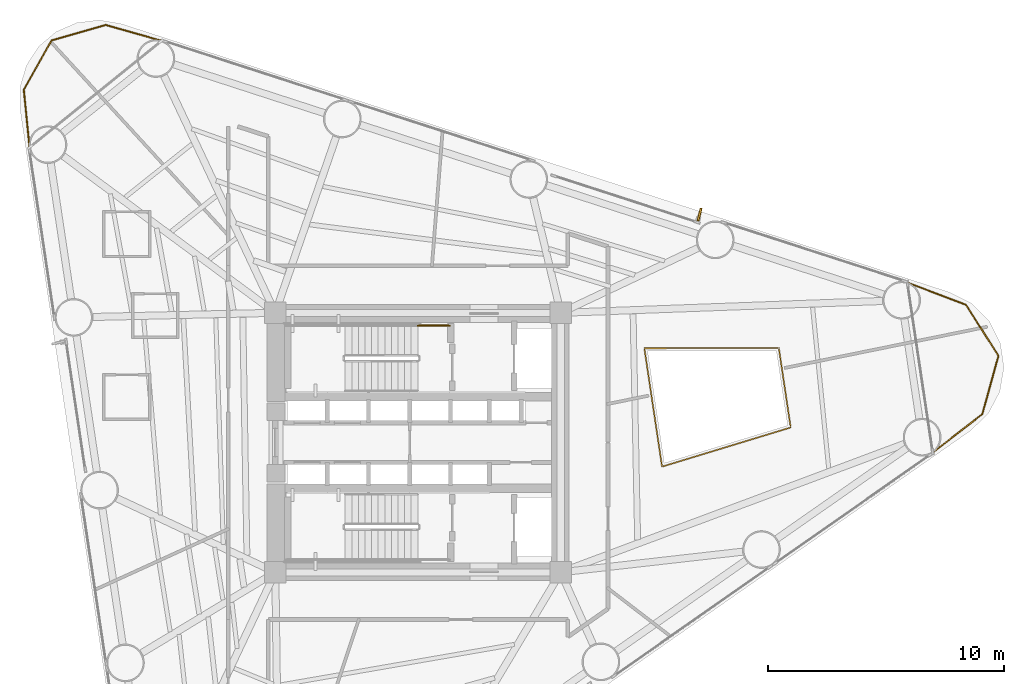
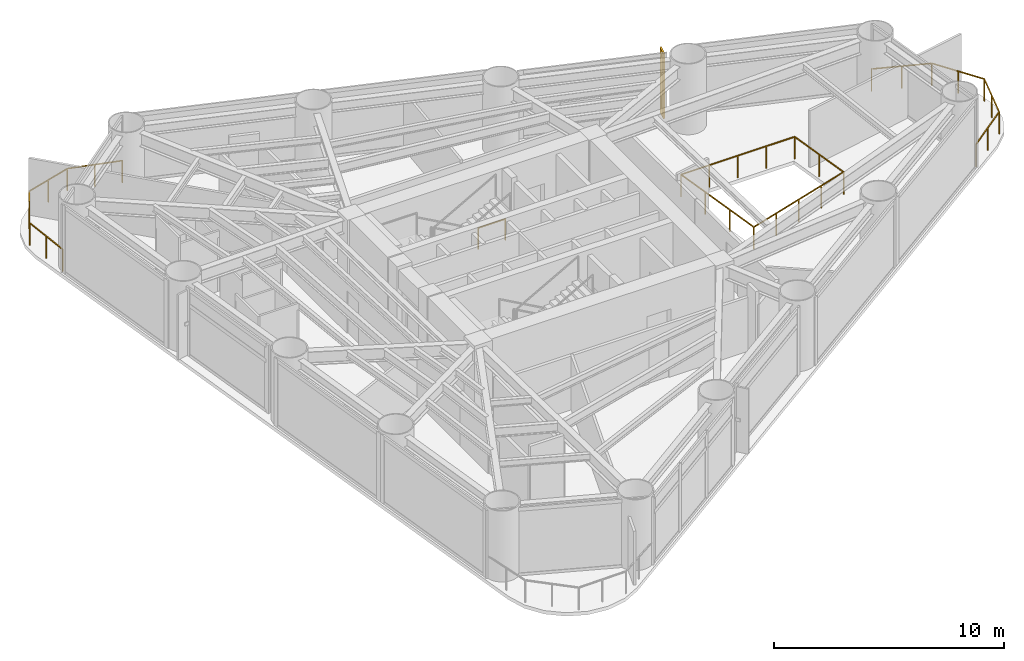
# One storey, part 9 of 9: 4 railings, 1 shading device.
"""IFC4 building model written with IfcOpenShell, lengths in metres."""

from ifc_helpers import new_model, si_unit, direction, frame, origin, origin_2d, place, context, subcontext, project, spatial, rectangle, extrude, source, transform, mapped, material, material_profile, profile_set, type_object, element, save


model = new_model("IFC4")

# Units and contexts
model_context = context("Model", 3, precision=1e-05, world=origin(), true_north=direction((0.0, 1.0)))
body_context = subcontext(model_context, "Body", "Model", "MODEL_VIEW")
ifc_project = project(units=[si_unit("LENGTHUNIT", "METRE"), si_unit("AREAUNIT", "SQUARE_METRE"), si_unit("VOLUMEUNIT", "CUBIC_METRE"), si_unit("PLANEANGLEUNIT", "RADIAN"), si_unit("MASSUNIT", "GRAM", prefix="KILO")], contexts=[model_context])

# Site, building, storey
site_placement = place(None, origin())
site = spatial("IfcSite", under=ifc_project, at=site_placement, CompositionType="ELEMENT")
building_placement = place(site_placement, origin())
building = spatial("IfcBuilding", under=site, at=building_placement, Name="Yunling Apex Tower", CompositionType="ELEMENT")
storey_placement = place(building_placement, frame((0.0, 0.0, 62.300048828125)))
storey = spatial("IfcBuildingStorey", under=building, at=storey_placement, Name="L16", CompositionType="ELEMENT", Elevation=62.300048828125)

# Railings
ifc_material_1 = material(Name="Bronze anodised aluminium", Category="aluminium")
railing_type_1 = type_object("IfcRailingType", Name="RL-BAL-1200", PredefinedType="BALUSTRADE", material=ifc_material_1)
railing_1_placement = place(storey_placement, frame((20.747314453125, 6.783935546875, 0.0)))
element("IfcRailing", 1, at=railing_1_placement, inside=storey, type_object=railing_type_1, Name="RL-CRNSILL-L16-1", PredefinedType="BALUSTRADE", context=body_context, shape_type="SweptSolid", body=[
    extrude(rectangle(XDim=0.0439453125, YDim=0.0439453125, at=origin_2d()), origin(), (0.0, 0.0, 1.0), 1.199951171875),
    extrude(rectangle(XDim=0.0439453125, YDim=0.0439453125, at=origin_2d()), frame((2.481689453125, -0.941650390625, 0.0)), (0.0, 0.0, 1.0), 1.199951171875),
    extrude(rectangle(XDim=0.050048828125, YDim=0.050048828125, at=origin_2d()), frame((0.035888671875, -0.013671875, 1.1748046875), z_axis=(0.934957554838, -0.354759595574, 0.0), x_axis=(0.354759595574, 0.934957554838, 0.0)), (0.0, 0.0, 1.0), 2.57763671875),
    extrude(rectangle(XDim=0.0439453125, YDim=0.0439453125, at=origin_2d()), frame((1.24072265625, -0.470703125, 0.0)), (0.0, 0.0, 1.0), 1.14599609375),
    extrude(rectangle(XDim=0.0439453125, YDim=0.0439453125, at=origin_2d()), frame((3.859375, -3.1064453125, 0.0)), (0.0, 0.0, 1.0), 1.199951171875),
    extrude(rectangle(XDim=0.050048828125, YDim=0.050048828125, at=origin_2d()), frame((2.502197265625, -0.973876953125, 1.1748046875), z_axis=(0.536900117586, -0.843645816523, 0.0), x_axis=(0.843645816523, 0.536900117586, 0.0)), (0.0, 0.0, 1.0), 2.4892578125),
    extrude(rectangle(XDim=0.0439453125, YDim=0.0439453125, at=origin_2d()), frame((3.17041015625, -2.02392578125, 0.0)), (0.0, 0.0, 1.0), 1.14599609375),
    extrude(rectangle(XDim=0.0439453125, YDim=0.0439453125, at=origin_2d()), frame((3.174560546875, -5.579345703125, 0.0)), (0.0, 0.0, 1.0), 1.199951171875),
    extrude(rectangle(XDim=0.050048828125, YDim=0.050048828125, at=origin_2d()), frame((3.84912109375, -3.143310546875, 1.1748046875), z_axis=(-0.26688316154, -0.963728892421, 0.0), x_axis=(0.963728892421, -0.26688316154, 0.0)), (0.0, 0.0, 1.0), 2.4892578125),
    extrude(rectangle(XDim=0.0439453125, YDim=0.0439453125, at=origin_2d()), frame((3.51708984375, -4.3427734375, 0.0)), (0.0, 0.0, 1.0), 1.14599609375),
    extrude(rectangle(XDim=0.0439453125, YDim=0.0439453125, at=origin_2d()), frame((1.07666015625, -7.20556640625, 0.0)), (0.0, 0.0, 1.0), 1.199951171875),
    extrude(rectangle(XDim=0.050048828125, YDim=0.050048828125, at=origin_2d()), frame((3.144287109375, -5.602783203125, 1.1748046875), z_axis=(-0.79035158758, -0.612653546476, 0.0), x_axis=(0.612653546476, -0.79035158758, 0.0)), (0.0, 0.0, 1.0), 2.57763671875),
    extrude(rectangle(XDim=0.0439453125, YDim=0.0439453125, at=origin_2d()), frame((2.12548828125, -6.392578125, 0.0)), (0.0, 0.0, 1.0), 1.14599609375),
])
railing_2_placement = place(storey_placement, frame((-16.470458984375, 12.5126953125, 0.0)))
element("IfcRailing", 2, at=railing_2_placement, inside=storey, type_object=railing_type_1, Name="RL-CRNSILL-L16-2", PredefinedType="BALUSTRADE", context=body_context, shape_type="SweptSolid", body=[
    extrude(rectangle(XDim=0.0439453125, YDim=0.0439453125, at=origin_2d()), origin(), (0.0, 0.0, 1.0), 1.199951171875),
    extrude(rectangle(XDim=0.0439453125, YDim=0.0439453125, at=origin_2d()), frame((-0.244140625, 2.449462890625, 0.0)), (0.0, 0.0, 1.0), 1.199951171875),
    extrude(rectangle(XDim=0.050048828125, YDim=0.050048828125, at=origin_2d()), frame((-0.00390625, 0.0380859375, 1.1748046875), z_axis=(-0.099179661385, 0.995069542679, 0.0), x_axis=(-0.995069542679, -0.099179661385, 0.0)), (0.0, 0.0, 1.0), 2.385009765625),
    extrude(rectangle(XDim=0.0439453125, YDim=0.0439453125, at=origin_2d()), frame((-0.1220703125, 1.224609375, 0.0)), (0.0, 0.0, 1.0), 1.14599609375),
    extrude(rectangle(XDim=0.0439453125, YDim=0.0439453125, at=origin_2d()), frame((0.935302734375, 4.534912109375, 0.0)), (0.0, 0.0, 1.0), 1.199951171875),
    extrude(rectangle(XDim=0.050048828125, YDim=0.050048828125, at=origin_2d()), frame((-0.225341796875, 2.48291015625, 1.1748046875), z_axis=(0.492282210089, 0.87043565278, 0.0), x_axis=(-0.87043565278, 0.492282210089, 0.0)), (0.0, 0.0, 1.0), 2.319091796875),
    extrude(rectangle(XDim=0.0439453125, YDim=0.0439453125, at=origin_2d()), frame((0.345703125, 3.4921875, 0.0)), (0.0, 0.0, 1.0), 1.14599609375),
    extrude(rectangle(XDim=0.0439453125, YDim=0.0439453125, at=origin_2d()), frame((3.231201171875, 5.19189453125, 0.0)), (0.0, 0.0, 1.0), 1.199951171875),
    extrude(rectangle(XDim=0.050048828125, YDim=0.050048828125, at=origin_2d()), frame((0.97216796875, 4.54541015625, 1.1748046875), z_axis=(0.961411988788, 0.275112682032, 0.0), x_axis=(-0.275112682032, 0.961411988788, 0.0)), (0.0, 0.0, 1.0), 2.311279296875),
    extrude(rectangle(XDim=0.0439453125, YDim=0.0439453125, at=origin_2d()), frame((2.083251953125, 4.86328125, 0.0)), (0.0, 0.0, 1.0), 1.14599609375),
    extrude(rectangle(XDim=0.0439453125, YDim=0.0439453125, at=origin_2d()), frame((5.60009765625, 4.52001953125, 0.0)), (0.0, 0.0, 1.0), 1.199951171875),
    extrude(rectangle(XDim=0.050048828125, YDim=0.050048828125, at=origin_2d()), frame((3.26806640625, 5.181396484375, 1.1748046875), z_axis=(0.962053444414, -0.272861082039, 0.0), x_axis=(0.272861082039, 0.962053444414, 0.0)), (0.0, 0.0, 1.0), 2.3857421875),
    extrude(rectangle(XDim=0.0439453125, YDim=0.0439453125, at=origin_2d()), frame((4.41552734375, 4.85595703125, 0.0)), (0.0, 0.0, 1.0), 1.14599609375),
])
railing_3_placement = place(storey_placement, frame((9.593994140625, 4.001220703125, 0.0)))
element("IfcRailing", 3, at=railing_3_placement, inside=storey, type_object=railing_type_1, Name="RL-TATR-L16", PredefinedType="BALUSTRADE", context=body_context, shape_type="SweptSolid", body=[
    extrude(rectangle(XDim=0.0439453125, YDim=0.0439453125, at=origin_2d()), origin(), (0.0, 0.0, 1.0), 1.199951171875),
    extrude(rectangle(XDim=0.0439453125, YDim=0.0439453125, at=origin_2d()), frame((5.70166015625, 0.007080078125, 0.0)), (0.0, 0.0, 1.0), 1.199951171875),
    extrude(rectangle(XDim=0.050048828125, YDim=0.050048828125, at=origin_2d()), frame((0.038330078125, 0.0, 1.1748046875), z_axis=(0.99999922902, 0.001241756343, 0.0), x_axis=(-0.001241756343, 0.99999922902, 0.0)), (0.0, 0.0, 1.0), 5.625),
    extrude(rectangle(XDim=0.0439453125, YDim=0.0439453125, at=origin_2d()), frame((1.42529296875, 0.001708984375, 0.0)), (0.0, 0.0, 1.0), 1.14599609375),
    extrude(rectangle(XDim=0.0439453125, YDim=0.0439453125, at=origin_2d()), frame((2.850830078125, 0.00341796875, 0.0)), (0.0, 0.0, 1.0), 1.14599609375),
    extrude(rectangle(XDim=0.0439453125, YDim=0.0439453125, at=origin_2d()), frame((4.2763671875, 0.00537109375, 0.0)), (0.0, 0.0, 1.0), 1.14599609375),
    extrude(rectangle(XDim=0.0439453125, YDim=0.0439453125, at=origin_2d()), frame((6.205078125, -3.362548828125, 0.0)), (0.0, 0.0, 1.0), 1.199951171875),
    extrude(rectangle(XDim=0.050048828125, YDim=0.050048828125, at=origin_2d()), frame((5.707275390625, -0.03076171875, 1.1748046875), z_axis=(0.147758753696, -0.98902343284, 0.0), x_axis=(0.98902343284, 0.147758753696, 0.0)), (0.0, 0.0, 1.0), 3.330322265625),
    extrude(rectangle(XDim=0.0439453125, YDim=0.0439453125, at=origin_2d()), frame((5.953369140625, -1.677734375, 0.0)), (0.0, 0.0, 1.0), 1.14599609375),
    extrude(rectangle(XDim=0.0439453125, YDim=0.0439453125, at=origin_2d()), frame((0.75048828125, -5.0224609375, 0.0)), (0.0, 0.0, 1.0), 1.199951171875),
    extrude(rectangle(XDim=0.050048828125, YDim=0.050048828125, at=origin_2d()), frame((6.16845703125, -3.373779296875, 1.1748046875), z_axis=(-0.956682695857, -0.291132649231, 0.0), x_axis=(0.291132649231, -0.956682695857, 0.0)), (0.0, 0.0, 1.0), 5.625),
    extrude(rectangle(XDim=0.0439453125, YDim=0.0439453125, at=origin_2d()), frame((4.84130859375, -3.777587890625, 0.0)), (0.0, 0.0, 1.0), 1.14599609375),
    extrude(rectangle(XDim=0.0439453125, YDim=0.0439453125, at=origin_2d()), frame((3.477783203125, -4.1923828125, 0.0)), (0.0, 0.0, 1.0), 1.14599609375),
    extrude(rectangle(XDim=0.0439453125, YDim=0.0439453125, at=origin_2d()), frame((2.1142578125, -4.607421875, 0.0)), (0.0, 0.0, 1.0), 1.14599609375),
    extrude(rectangle(XDim=0.050048828125, YDim=0.050048828125, at=origin_2d()), frame((0.744873046875, -4.984619140625, 1.1748046875), z_axis=(-0.147785616119, 0.989019419257, 0.0), x_axis=(-0.989019419257, -0.147785616119, 0.0)), (0.0, 0.0, 1.0), 5.00146484375),
    extrude(rectangle(XDim=0.0439453125, YDim=0.0439453125, at=origin_2d()), frame((0.500244140625, -3.348388671875, 0.0)), (0.0, 0.0, 1.0), 1.14599609375),
    extrude(rectangle(XDim=0.0439453125, YDim=0.0439453125, at=origin_2d()), frame((0.250244140625, -1.674072265625, 0.0)), (0.0, 0.0, 1.0), 1.14599609375),
])
ifc_material_2 = material(Name="Steel Q355B", Category="steel")
railing_type_2 = type_object("IfcRailingType", Name="RL-GRD-1150", PredefinedType="GUARDRAIL", material=ifc_material_2)
railing_4_placement = place(storey_placement, frame((1.35009765625, 4.9599609375, 0.0)))
element("IfcRailing", 4, at=railing_4_placement, inside=storey, type_object=railing_type_2, Name="L16 ST-1 stair guard 6", PredefinedType="GUARDRAIL", context=body_context, shape_type="SweptSolid", body=[
    extrude(rectangle(XDim=0.0439453125, YDim=0.0439453125, at=origin_2d()), origin(), (0.0, 0.0, 1.0), 1.14990234375),
    extrude(rectangle(XDim=0.0439453125, YDim=0.0439453125, at=origin_2d()), frame((-1.360107421875, 0.0, 0.0)), (0.0, 0.0, 1.0), 1.14990234375),
    extrude(rectangle(XDim=0.050048828125, YDim=0.050048828125, at=origin_2d()), frame((-0.038330078125, 0.0, 1.125), z_axis=(-1.0, 0.0, 0.0), x_axis=(0.0, -1.0, 0.0)), (0.0, 0.0, 1.0), 1.283447265625),
])

# Shading device
ifc_material_profile = material_profile(ifc_material_1, rectangle(XDim=0.0849609375, YDim=0.550048828125, at=origin_2d()))
ifc_profile_set = profile_set([ifc_material_profile], Name="Bronze anodised aluminium")
shading_device_type = type_object("IfcShadingDeviceType", Name="FN-BRZ-3", PredefinedType="USERDEFINED", material=ifc_profile_set)
shared_shape = source(origin(), body_context, "Body", "SweptSolid", [
    extrude(rectangle(XDim=0.0849609375, YDim=0.550048828125, at=origin_2d()), origin(), (0.0, 0.0, 1.0), 3.445068359375),
])
shading_device_placement = place(storey_placement, frame((11.934814453125, 9.666748046875, 0.06005859375), z_axis=(0.0, 0.0, 1.0), x_axis=(-0.969402520914, 0.245476582274, 0.0)))
element("IfcShadingDevice", 5, at=shading_device_placement, inside=storey, type_object=shading_device_type, Name="CW-L16-F2-B2-FIN-01", ObjectType="FIN", PredefinedType="USERDEFINED", context=body_context, shape_type="MappedRepresentation", body=[
    mapped(shared_shape, transform((0.0, 0.0, 0.0), scale=1.0)),
])

save(model, "model.ifc")
